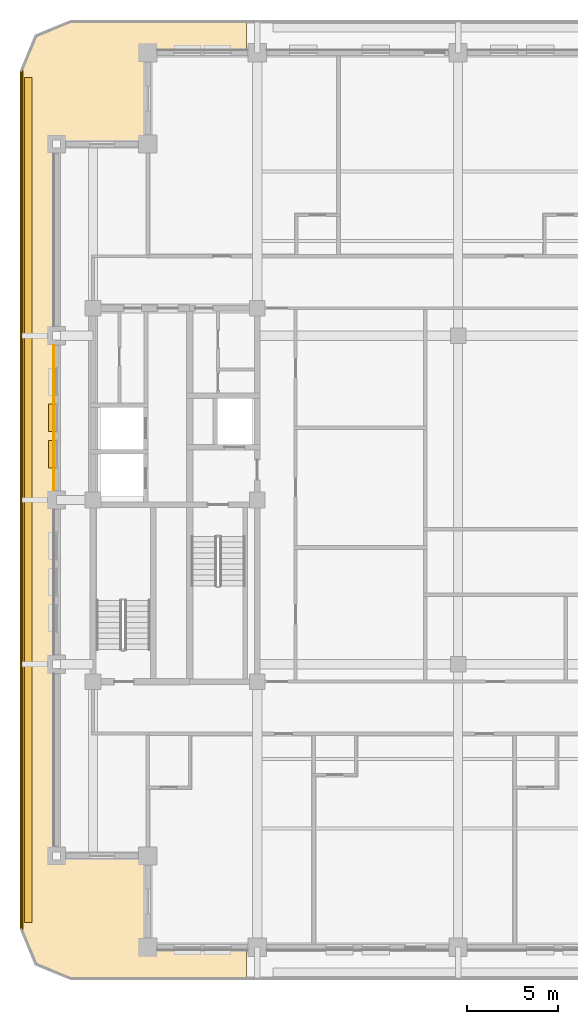
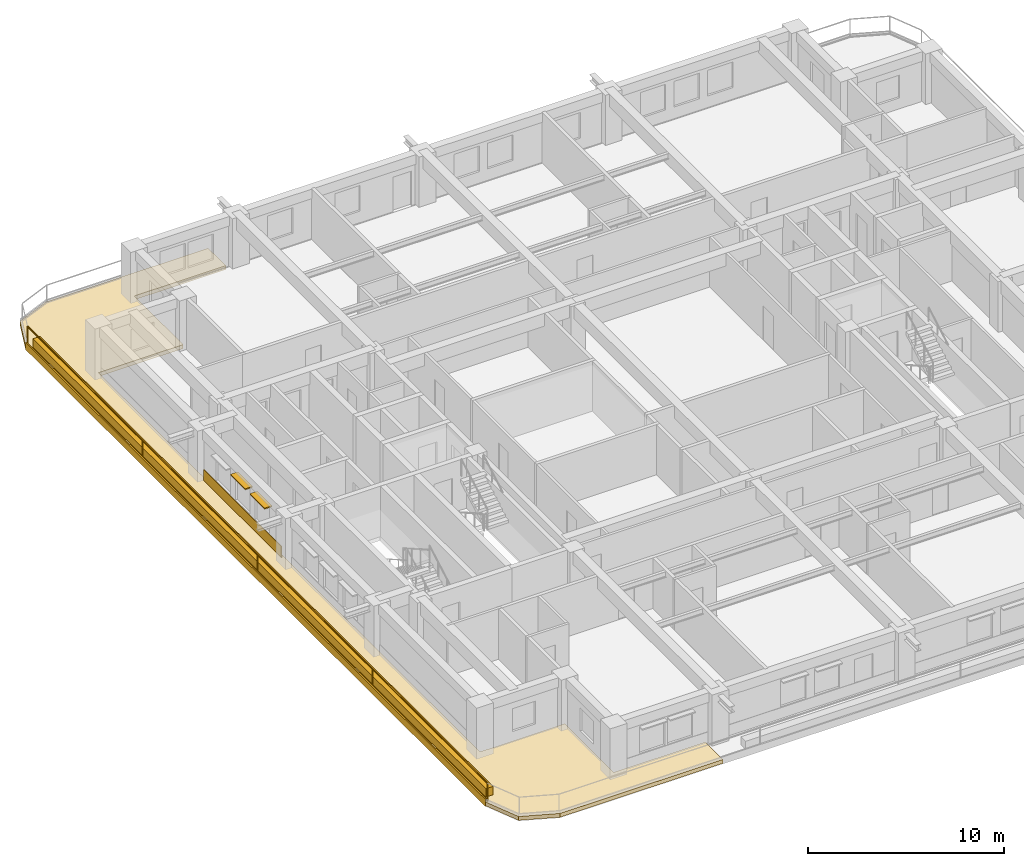
# One storey, part 10 of 13: 4 coverings, 2 shading devices, 1 railing.
"""IFC4 building model written with IfcOpenShell, lengths in metres."""

from ifc_helpers import new_model, si_unit, direction, frame, frame_2d, origin, origin_2d, place, context, subcontext, project, spatial, polyline, rectangle, outline, extrude, material, layer, layer_set, type_object, element, save


model = new_model("IFC4")

# Units and contexts
model_context = context("Model", 3, precision=1e-05, world=origin(), true_north=direction((0.0, 1.0)))
body_context = subcontext(model_context, "Body", "Model", "MODEL_VIEW")
ifc_project = project(units=[si_unit("LENGTHUNIT", "METRE"), si_unit("AREAUNIT", "SQUARE_METRE"), si_unit("VOLUMEUNIT", "CUBIC_METRE"), si_unit("PLANEANGLEUNIT", "RADIAN"), si_unit("MASSUNIT", "GRAM", prefix="KILO")], contexts=[model_context])

# Site, building, storey
site_placement = place(None, origin())
site = spatial("IfcSite", under=ifc_project, at=site_placement, CompositionType="ELEMENT")
building_placement = place(site_placement, origin())
building = spatial("IfcBuilding", under=site, at=building_placement, Name="Zulmaris Gate Convention Tower", CompositionType="ELEMENT")
storey_placement = place(building_placement, frame((0.0, 0.0, 176.259765625)))
storey = spatial("IfcBuildingStorey", under=building, at=storey_placement, Name="L45", CompositionType="ELEMENT", Elevation=176.259765625)

# Coverings
ifc_material_1 = material(Name="Precast concrete C40/50", Category="concrete")
ifc_layer_1 = layer(ifc_material_1, 0.0400390625, Name="Precast concrete C40/50")
ifc_layer_set_1 = layer_set([ifc_layer_1], Name="Precast concrete C40/50")
covering_type_1 = type_object("IfcCoveringType", Name="CLAD-SPANDREL-PRECAST", PredefinedType="CLADDING", material=ifc_layer_set_1)
covering_1_placement = place(storey_placement, frame((-22.14990234375, 8.469970703125, 0.0), z_axis=(0.0, 0.0, 1.0), x_axis=(0.0, -1.0, 0.0)))
element("IfcCovering", 1, at=covering_1_placement, inside=storey, type_object=covering_type_1, Name="CLD-L45-W-2_0", PredefinedType="CLADDING", context=body_context, shape_type="SweptSolid", body=[
    extrude(rectangle(XDim=7.93994140625, YDim=0.0400390625, at=frame_2d((3.969970703125, 0.0))), origin(), (0.0, 0.0, 1.0), 0.679931640625),
])
ifc_material_2 = material(Name="White Glazed Architectural Precast Concrete C40/50", Category="concrete")
ifc_layer_2 = layer(ifc_material_2, 0.239990234375, Name="White Glazed Architectural Precast Concrete C40/50")
ifc_layer_set_2 = layer_set([ifc_layer_2], Name="White Glazed Architectural Precast Concrete C40/50")
covering_type_2 = type_object("IfcCoveringType", Name="CLAD-TRAY-DECK", PredefinedType="CLADDING", material=ifc_layer_set_2)
covering_2_placement = place(storey_placement, frame((0.0, 0.0, -0.27490234375)))
element("IfcCovering", 2, at=covering_2_placement, inside=storey, type_object=covering_type_2, Name="L45 West Rounded-Fascia Planter Tray Deck", PredefinedType="CLADDING", context=body_context, shape_type="SweptSolid", body=[
    extrude(outline(polyline([(-24.0, 23.5), (-23.179931640625, 25.47998046875), (-21.199951171875, 26.300048828125), (-11.60205078125, 26.300048828125), (-11.60205078125, 24.5), (-17.0, 24.5), (-17.0, 19.5), (-22.0, 19.5), (-22.0, -19.5), (-17.0, -19.5), (-17.0, -24.5), (-11.60205078125, -24.5), (-11.60205078125, -26.300048828125), (-21.199951171875, -26.300048828125), (-23.179931640625, -25.47998046875), (-24.0, -23.5), (-24.0, 23.5)])), origin(), (0.0, 0.0, 1.0), 0.239990234375),
])
ifc_layer_3 = layer(ifc_material_2, 0.080078125, Name="White Glazed Architectural Precast Concrete C40/50")
ifc_layer_set_3 = layer_set([ifc_layer_3], Name="White Glazed Architectural Precast Concrete C40/50")
covering_type_3 = type_object("IfcCoveringType", Name="CLAD-TRAY-FASCIA", PredefinedType="CLADDING", material=ifc_layer_set_3)
covering_3_placement = place(storey_placement, frame((-23.9599609375, 23.5, -0.31494140625), z_axis=(0.0, 0.0, 1.0), x_axis=(0.0, -1.0, 0.0)))
element("IfcCovering", 3, at=covering_3_placement, inside=storey, type_object=covering_type_3, Name="FSC-L45-TR-11", PredefinedType="CLADDING", context=body_context, shape_type="SweptSolid", body=[
    extrude(rectangle(XDim=47.0, YDim=0.080078125, at=frame_2d((23.5, 0.0))), origin(), (0.0, 0.0, 1.0), 0.43994140625),
])
ifc_material_3 = material(Name="Botanical Green Glazed Precast Concrete C40/50", Category="concrete")
ifc_layer_4 = layer(ifc_material_3, 0.419921875, Name="Botanical Green Glazed Precast Concrete C40/50")
ifc_layer_set_4 = layer_set([ifc_layer_4], Name="Botanical Green Glazed Precast Concrete C40/50")
covering_type_4 = type_object("IfcCoveringType", Name="PLANTER-BOX-200", PredefinedType="CLADDING", material=ifc_layer_set_4)
covering_4_placement = place(storey_placement, frame((0.0, 0.0, -0.034912109375)))
element("IfcCovering", 4, at=covering_4_placement, inside=storey, type_object=covering_type_4, Name="L45 W Full-Length Balcony Tree Planter Trough", PredefinedType="CLADDING", context=body_context, shape_type="SweptSolid", body=[
    extrude(outline(polyline([(-23.760009765625, -23.14990234375), (-23.340087890625, -23.14990234375), (-23.340087890625, 23.14990234375), (-23.760009765625, 23.14990234375), (-23.760009765625, -23.14990234375)])), origin(), (0.0, 0.0, 1.0), 0.52001953125),
])

# Railing
ifc_material_4 = material(Name="Laminated Glass and Stainless Steel", Category="steel")
railing_type = type_object("IfcRailingType", Name="RL-BALC-1150", PredefinedType="BALUSTRADE", material=ifc_material_4)
railing_placement = place(storey_placement, frame((-23.8798828125, 23.5, -0.034912109375)))
element("IfcRailing", 5, at=railing_placement, inside=storey, type_object=railing_type, Name="RL-L45-BALC-W", PredefinedType="BALUSTRADE", context=body_context, shape_type="SweptSolid", body=[
    extrude(rectangle(XDim=0.048095703125, YDim=0.048095703125, at=origin_2d()), frame((0.0, 0.0, 1.1259765625), z_axis=(0.0, -1.0, 0.0), x_axis=(1.0, 0.0, 0.0)), (0.0, 0.0, 1.0), 47.0),
    extrude(rectangle(XDim=0.048095703125, YDim=0.048095703125, at=origin_2d()), frame((0.0, 0.0, 0.02392578125), z_axis=(0.0, -1.0, 0.0), x_axis=(1.0, 0.0, 0.0)), (0.0, 0.0, 1.0), 47.0),
    extrude(rectangle(XDim=0.0419921875, YDim=0.0419921875, at=origin_2d()), origin(), (0.0, 0.0, 1.0), 1.101806640625),
    extrude(rectangle(XDim=0.0419921875, YDim=0.0419921875, at=origin_2d()), frame((0.0, -11.75, 0.0)), (0.0, 0.0, 1.0), 1.101806640625),
    extrude(rectangle(XDim=0.0419921875, YDim=0.0419921875, at=origin_2d()), frame((0.0, -23.5, 0.0)), (0.0, 0.0, 1.0), 1.101806640625),
    extrude(rectangle(XDim=0.0419921875, YDim=0.0419921875, at=origin_2d()), frame((0.0, -35.25, 0.0)), (0.0, 0.0, 1.0), 1.101806640625),
    extrude(rectangle(XDim=0.0419921875, YDim=0.0419921875, at=origin_2d()), frame((0.0, -47.0, 0.0)), (0.0, 0.0, 1.0), 1.101806640625),
])

# Shading devices
ifc_material_5 = material(Name="Glazed Ceramic Terracotta", Category="masonry")
ifc_layer_5 = layer(ifc_material_5, 0.070068359375, Name="Glazed Ceramic Terracotta")
ifc_layer_set_5 = layer_set([ifc_layer_5], Name="Glazed Ceramic Terracotta")
shading_device_type = type_object("IfcShadingDeviceType", Name="SHD-SUNSHADE-TC", PredefinedType="AWNING", material=ifc_layer_set_5)
for number, where, z_axis, x_axis, name in (
    (6, (-22.219970703125, 5.25, 2.35009765625), (0.0, 0.0, 1.0), (0.0, -1.0, 0.0), "SHD-EW-L45-W-2_0-2"),
    (7, (-22.219970703125, 3.264892578125, 2.35009765625), (0.0, 0.0, 1.0), (0.0, -1.0, 0.0), "SHD-EW-L45-W-2_0-3"),
):
    element("IfcShadingDevice", number, at=place(storey_placement, frame(where, z_axis=z_axis, x_axis=x_axis)), inside=storey, type_object=shading_device_type, Name=name, PredefinedType="AWNING", context=body_context, shape_type="SweptSolid", body=[
        extrude(rectangle(XDim=1.5, YDim=0.43994140625, at=frame_2d((0.75, 0.0))), origin(), (0.0, 0.0, 1.0), 0.06982421875),
    ])

save(model, "model.ifc")
